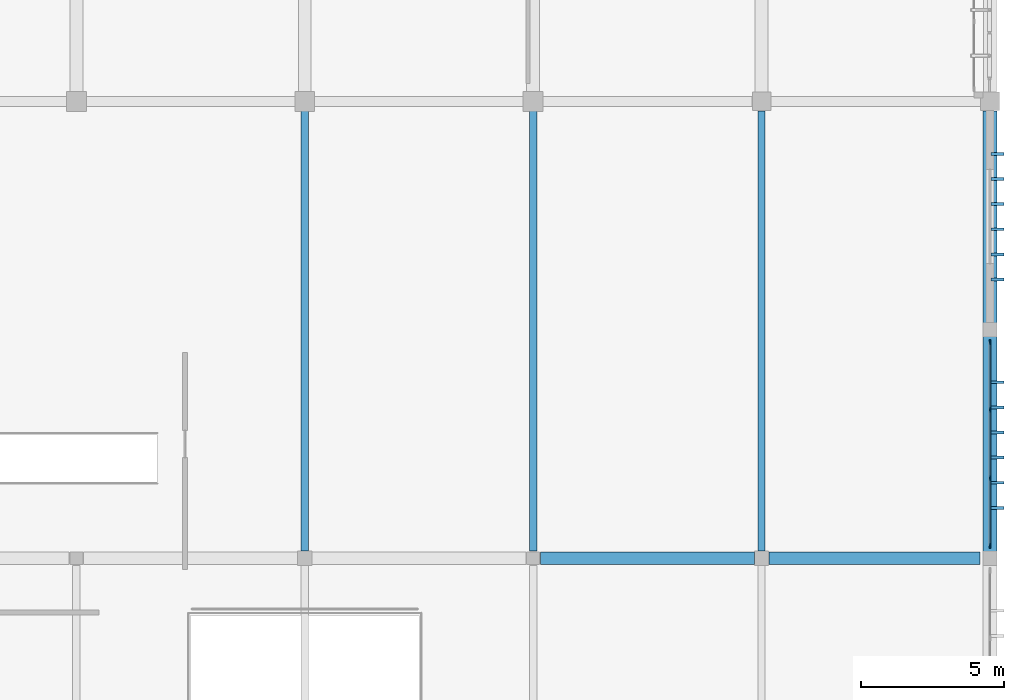
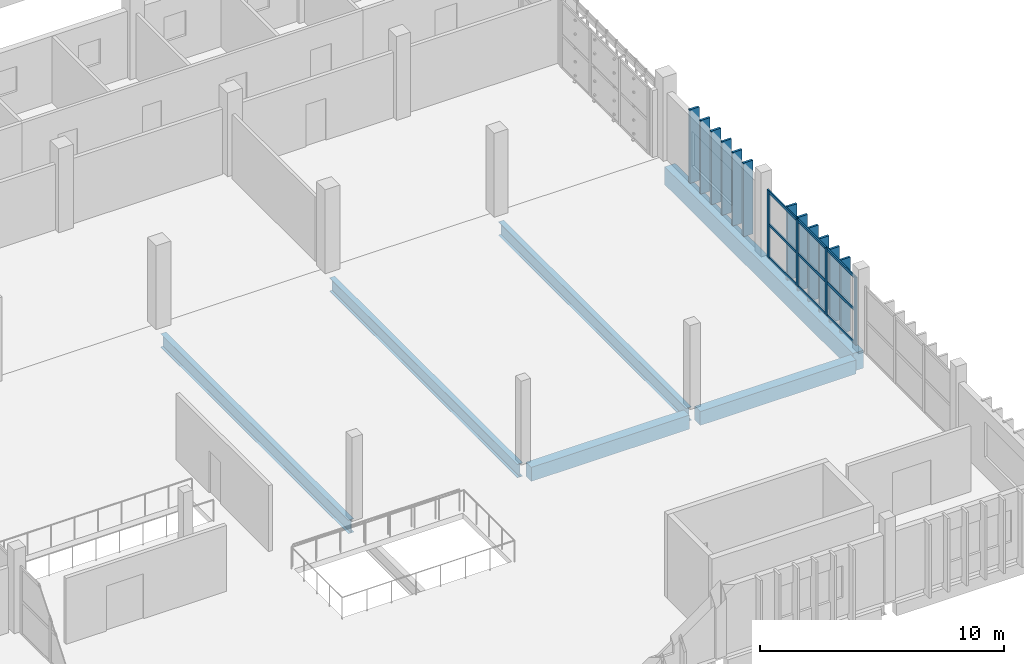
# One storey, part 57 of 137: 25 members, 6 beams, 1 element without a shape of its own.
"""IFC4 building model written with IfcOpenShell, lengths in metres."""

from ifc_helpers import new_model, si_unit, direction, frame, origin, origin_2d, place, context, subcontext, project, spatial, rectangle, i_section, extrude, material, layer, layer_set, material_profile, profile_set, type_object, element, aggregate, save


model = new_model("IFC4")

# Units and contexts
model_context = context("Model", 3, precision=1e-05, world=origin(), true_north=direction((0.0, 1.0)))
body_context = subcontext(model_context, "Body", "Model", "MODEL_VIEW")
ifc_project = project(units=[si_unit("LENGTHUNIT", "METRE"), si_unit("AREAUNIT", "SQUARE_METRE"), si_unit("VOLUMEUNIT", "CUBIC_METRE"), si_unit("PLANEANGLEUNIT", "RADIAN"), si_unit("MASSUNIT", "GRAM", prefix="KILO")], contexts=[model_context])

# Site, building, storey
site_placement = place(None, origin())
site = spatial("IfcSite", under=ifc_project, at=site_placement, CompositionType="ELEMENT")
building_placement = place(site_placement, origin())
building = spatial("IfcBuilding", under=site, at=building_placement, Name="Jelvoka-Kovrelna Polytechnic", CompositionType="ELEMENT")
storey_placement = place(building_placement, frame((0.0, 0.0, 9.60009765625)))
storey = spatial("IfcBuildingStorey", under=building, at=storey_placement, Name="L03", CompositionType="ELEMENT", Elevation=9.60009765625)

# Beams
ifc_material_1 = material(Name="Concrete C40/50", Category="concrete")
ifc_material_profile_1 = material_profile(ifc_material_1, rectangle(XDim=0.449951171875, YDim=0.699951171875, at=origin_2d()), Name="RC 450x700")
ifc_profile_set_1 = profile_set([ifc_material_profile_1], Name="Concrete C40/50")
beam_type_1 = type_object("IfcBeamType", Name="Beam_RC_450x700", PredefinedType="BEAM", material=ifc_profile_set_1)
beam_1_placement = place(storey_placement, frame((184.2548828125, 16.0, -0.635009765625), z_axis=(1.0, 0.0, 0.0), x_axis=(0.0, 1.0, 0.0)))
element("IfcBeam", 1, at=beam_1_placement, inside=storey, type_object=beam_type_1, Name="L03 beam 0228", PredefinedType="BEAM", context=body_context, shape_type="SweptSolid", body=[
    extrude(rectangle(XDim=0.449951171875, YDim=0.699951171875, at=origin_2d()), origin(), (0.0, 0.0, 1.0), 7.490234375),
])
beam_2_placement = place(storey_placement, frame((192.2548828125, 16.0, -0.635009765625), z_axis=(1.0, 0.0, 0.0), x_axis=(0.0, 1.0, 0.0)))
element("IfcBeam", 2, at=beam_2_placement, inside=storey, type_object=beam_type_1, Name="L03 beam 0231", PredefinedType="BEAM", context=body_context, shape_type="SweptSolid", body=[
    extrude(rectangle(XDim=0.449951171875, YDim=0.699951171875, at=origin_2d()), origin(), (0.0, 0.0, 1.0), 7.39013671875),
])
ifc_material_2 = material(Name="Concrete C40/50", Category="concrete")
ifc_material_profile_2 = material_profile(ifc_material_2, rectangle(XDim=0.5, YDim=0.89990234375, at=origin_2d()), Name="RC 500x900")
ifc_profile_set_2 = profile_set([ifc_material_profile_2], Name="Concrete C40/50")
beam_type_2 = type_object("IfcBeamType", Name="Beam_RC_500x900", PredefinedType="BEAM", material=ifc_profile_set_2)
beam_3_placement = place(storey_placement, frame((200.0, 16.22998046875, -0.735107421875), z_axis=(0.0, 1.0, 0.0), x_axis=(-1.0, 0.0, 0.0)))
element("IfcBeam", 3, at=beam_3_placement, inside=storey, type_object=beam_type_2, Name="L03 beam 0217", PredefinedType="BEAM", context=body_context, shape_type="SweptSolid", body=[
    extrude(rectangle(XDim=0.5, YDim=0.89990234375, at=origin_2d()), origin(), (0.0, 0.0, 1.0), 15.43994140625),
])
ifc_material_3 = material(Name="Structural steel S355JR", Category="steel")
ifc_material_profile_3 = material_profile(ifc_material_3, i_section(OverallWidth=0.2529296875, OverallDepth=0.677978515625, WebThickness=0.01171875, FlangeThickness=0.01611328125, FilletRadius=0.01513671875, at=origin_2d()), Name="686x254x125 UB")
ifc_profile_set_3 = profile_set([ifc_material_profile_3], Name="Structural steel S355JR")
beam_type_3 = type_object("IfcBeamType", Name="Girder_Steel_UB686", PredefinedType="BEAM", material=ifc_profile_set_3)
for number, where, z_axis, x_axis, name in (
    (4, (176.0, 16.2548828125, -0.6240234375), (0.0, 1.0, 0.0), (-1.0, 0.0, 0.0), "L03 beam 0211"),
    (5, (184.0, 16.2548828125, -0.6240234375), (0.0, 1.0, 0.0), (-1.0, 0.0, 0.0), "L03 beam 0213"),
    (6, (192.0, 16.2548828125, -0.6240234375), (0.0, 1.0, 0.0), (-1.0, 0.0, 0.0), "L03 beam 0215"),
):
    element("IfcBeam", number, at=place(storey_placement, frame(where, z_axis=z_axis, x_axis=x_axis)), inside=storey, type_object=beam_type_3, Name=name, PredefinedType="BEAM", context=body_context, shape_type="SweptSolid", body=[
        extrude(i_section(OverallWidth=0.2529296875, OverallDepth=0.677978515625, WebThickness=0.01171875, FlangeThickness=0.01611328125, FilletRadius=0.01513671875, at=origin_2d()), origin(), (0.0, 0.0, 1.0), 15.4150390625),
    ])

# Members
ifc_material_4 = material(Name="Precast concrete C40/50", Category="concrete")
ifc_material_profile_4 = material_profile(ifc_material_4, rectangle(XDim=0.10009765625, YDim=0.449951171875, at=origin_2d()), Name="PC 100x450")
ifc_profile_set_4 = profile_set([ifc_material_profile_4], Name="Precast concrete C40/50")
member_type_1 = type_object("IfcMemberType", Name="Louvre_Fin_100x450", PredefinedType="USERDEFINED", material=ifc_profile_set_4)
for number, where, z_axis, x_axis, name in (
    (7, (200.264892578125, 17.760009765625, -0.2900390625), (0.0, 0.0, 1.0), (0.0, 1.0, 0.0), "L03 V5 east solar louvre fin 2608"),
    (8, (200.264892578125, 18.639892578125, -0.2900390625), (0.0, 0.0, 1.0), (0.0, 1.0, 0.0), "L03 V5 east solar louvre fin 2609"),
    (9, (200.264892578125, 19.52001953125, -0.2900390625), (0.0, 0.0, 1.0), (0.0, 1.0, 0.0), "L03 V5 east solar louvre fin 2610"),
    (10, (200.264892578125, 20.39990234375, -0.2900390625), (0.0, 0.0, 1.0), (0.0, 1.0, 0.0), "L03 V5 east solar louvre fin 2611"),
    (11, (200.264892578125, 21.280029296875, -0.2900390625), (0.0, 0.0, 1.0), (0.0, 1.0, 0.0), "L03 V5 east solar louvre fin 2612"),
    (12, (200.264892578125, 22.159912109375, -0.2900390625), (0.0, 0.0, 1.0), (0.0, 1.0, 0.0), "L03 V5 east solar louvre fin 2613"),
    (13, (200.264892578125, 25.760009765625, -0.2900390625), (0.0, 0.0, 1.0), (0.0, 1.0, 0.0), "L03 V5 east solar louvre fin 2614"),
    (14, (200.264892578125, 26.639892578125, -0.2900390625), (0.0, 0.0, 1.0), (0.0, 1.0, 0.0), "L03 V5 east solar louvre fin 2615"),
    (15, (200.264892578125, 27.52001953125, -0.2900390625), (0.0, 0.0, 1.0), (0.0, 1.0, 0.0), "L03 V5 east solar louvre fin 2616"),
    (16, (200.264892578125, 28.39990234375, -0.2900390625), (0.0, 0.0, 1.0), (0.0, 1.0, 0.0), "L03 V5 east solar louvre fin 2617"),
    (17, (200.264892578125, 29.280029296875, -0.2900390625), (0.0, 0.0, 1.0), (0.0, 1.0, 0.0), "L03 V5 east solar louvre fin 2618"),
    (18, (200.264892578125, 30.159912109375, -0.2900390625), (0.0, 0.0, 1.0), (0.0, 1.0, 0.0), "L03 V5 east solar louvre fin 2619"),
):
    element("IfcMember", number, at=place(storey_placement, frame(where, z_axis=z_axis, x_axis=x_axis)), inside=storey, type_object=member_type_1, Name=name, ObjectType="SUNSHADE", PredefinedType="USERDEFINED", context=body_context, shape_type="SweptSolid", body=[
        extrude(rectangle(XDim=0.10009765625, YDim=0.449951171875, at=origin_2d()), origin(), (0.0, 0.0, 1.0), 3.68994140625),
    ])

# Curtain wall, members
ifc_material_5 = material(Name="Anodised aluminium 6063-T6", Category="aluminium")
ifc_layer = layer(ifc_material_5, 0.179931640625)
ifc_layer_set = layer_set([ifc_layer], Name="Anodised aluminium 6063-T6")
curtain_wall_type = type_object("IfcCurtainWallType", Name="CW_Pavilion", PredefinedType="NOTDEFINED", material=ifc_layer_set)
curtain_wall_placement = place(storey_placement, origin())
curtain_wall = element("IfcCurtainWall", 19, at=curtain_wall_placement, inside=storey, type_object=curtain_wall_type, Name="L03 glazed curtain wall 293", PredefinedType="NOTDEFINED")
ifc_material_6 = material(Name="Anodised aluminium 6063-T6", Category="aluminium")
ifc_material_profile_5 = material_profile(ifc_material_6, rectangle(XDim=0.06494140625, YDim=0.179931640625, at=origin_2d()), Name="ALU 65x180")
ifc_profile_set_5 = profile_set([ifc_material_profile_5], Name="Anodised aluminium 6063-T6")
member_type_2 = type_object("IfcMemberType", Name="Mullion_M-05", PredefinedType="MULLION", material=ifc_profile_set_5)
member_1_placement = place(storey_placement, frame((200.0, 23.5673828125, -0.02490234375), z_axis=(0.0, 0.0, 1.0), x_axis=(1.0, 0.0, 0.0)))
member_1 = element("IfcMember", 20, at=member_1_placement, type_object=member_type_2, Name="CW-05 mullion 1", PredefinedType="MULLION", context=body_context, shape_type="SweptSolid", body=[
    extrude(rectangle(XDim=0.06494140625, YDim=0.179931640625, at=origin_2d()), origin(), (0.0, 0.0, 1.0), 3.39990234375),
])
member_2_placement = place(storey_placement, frame((200.0, 21.199951171875, -0.02490234375), z_axis=(0.0, 0.0, 1.0), x_axis=(1.0, 0.0, 0.0)))
member_2 = element("IfcMember", 21, at=member_2_placement, type_object=member_type_2, Name="CW-05 mullion 2", PredefinedType="MULLION", context=body_context, shape_type="SweptSolid", body=[
    extrude(rectangle(XDim=0.06494140625, YDim=0.179931640625, at=origin_2d()), origin(), (0.0, 0.0, 1.0), 3.39990234375),
])
member_3_placement = place(storey_placement, frame((200.0, 18.800048828125, -0.02490234375), z_axis=(0.0, 0.0, 1.0), x_axis=(1.0, 0.0, 0.0)))
member_3 = element("IfcMember", 22, at=member_3_placement, type_object=member_type_2, Name="CW-05 mullion 3", PredefinedType="MULLION", context=body_context, shape_type="SweptSolid", body=[
    extrude(rectangle(XDim=0.06494140625, YDim=0.179931640625, at=origin_2d()), origin(), (0.0, 0.0, 1.0), 3.39990234375),
])
member_4_placement = place(storey_placement, frame((200.0, 16.4326171875, -0.02490234375), z_axis=(0.0, 0.0, 1.0), x_axis=(1.0, 0.0, 0.0)))
member_4 = element("IfcMember", 23, at=member_4_placement, type_object=member_type_2, Name="CW-05 mullion 4", PredefinedType="MULLION", context=body_context, shape_type="SweptSolid", body=[
    extrude(rectangle(XDim=0.06494140625, YDim=0.179931640625, at=origin_2d()), origin(), (0.0, 0.0, 1.0), 3.39990234375),
])
ifc_material_7 = material(Name="Anodised aluminium 6063-T6", Category="aluminium")
ifc_material_profile_6 = material_profile(ifc_material_7, rectangle(XDim=0.06494140625, YDim=0.135009765625, at=origin_2d()), Name="ALU 65x135")
ifc_profile_set_6 = profile_set([ifc_material_profile_6], Name="Anodised aluminium 6063-T6")
member_type_3 = type_object("IfcMemberType", Name="Transom_T-05", PredefinedType="USERDEFINED", material=ifc_profile_set_6)
member_5_placement = place(storey_placement, frame((200.0, 23.534912109375, 0.032470703125), z_axis=(0.0, -1.0, 0.0), x_axis=(1.0, 0.0, 0.0)))
member_5 = element("IfcMember", 24, at=member_5_placement, type_object=member_type_3, Name="CW-05 transom 1.1", ObjectType="TRANSOM", PredefinedType="USERDEFINED", context=body_context, shape_type="SweptSolid", body=[
    extrude(rectangle(XDim=0.06494140625, YDim=0.135009765625, at=origin_2d()), origin(), (0.0, 0.0, 1.0), 2.302490234375),
])
member_6_placement = place(storey_placement, frame((200.0, 23.534912109375, 1.6748046875), z_axis=(0.0, -1.0, 0.0), x_axis=(1.0, 0.0, 0.0)))
member_6 = element("IfcMember", 25, at=member_6_placement, type_object=member_type_3, Name="CW-05 transom 1.2", ObjectType="TRANSOM", PredefinedType="USERDEFINED", context=body_context, shape_type="SweptSolid", body=[
    extrude(rectangle(XDim=0.06494140625, YDim=0.135009765625, at=origin_2d()), origin(), (0.0, 0.0, 1.0), 2.302490234375),
])
member_7_placement = place(storey_placement, frame((200.0, 23.534912109375, 3.3173828125), z_axis=(0.0, -1.0, 0.0), x_axis=(1.0, 0.0, 0.0)))
member_7 = element("IfcMember", 26, at=member_7_placement, type_object=member_type_3, Name="CW-05 transom 1.3", ObjectType="TRANSOM", PredefinedType="USERDEFINED", context=body_context, shape_type="SweptSolid", body=[
    extrude(rectangle(XDim=0.06494140625, YDim=0.135009765625, at=origin_2d()), origin(), (0.0, 0.0, 1.0), 2.302490234375),
])
member_8_placement = place(storey_placement, frame((200.0, 21.16748046875, 0.032470703125), z_axis=(0.0, -1.0, 0.0), x_axis=(1.0, 0.0, 0.0)))
member_8 = element("IfcMember", 27, at=member_8_placement, type_object=member_type_3, Name="CW-05 transom 2.1", ObjectType="TRANSOM", PredefinedType="USERDEFINED", context=body_context, shape_type="SweptSolid", body=[
    extrude(rectangle(XDim=0.06494140625, YDim=0.135009765625, at=origin_2d()), origin(), (0.0, 0.0, 1.0), 2.3349609375),
])
member_9_placement = place(storey_placement, frame((200.0, 21.16748046875, 1.6748046875), z_axis=(0.0, -1.0, 0.0), x_axis=(1.0, 0.0, 0.0)))
member_9 = element("IfcMember", 28, at=member_9_placement, type_object=member_type_3, Name="CW-05 transom 2.2", ObjectType="TRANSOM", PredefinedType="USERDEFINED", context=body_context, shape_type="SweptSolid", body=[
    extrude(rectangle(XDim=0.06494140625, YDim=0.135009765625, at=origin_2d()), origin(), (0.0, 0.0, 1.0), 2.3349609375),
])
member_10_placement = place(storey_placement, frame((200.0, 21.16748046875, 3.3173828125), z_axis=(0.0, -1.0, 0.0), x_axis=(1.0, 0.0, 0.0)))
member_10 = element("IfcMember", 29, at=member_10_placement, type_object=member_type_3, Name="CW-05 transom 2.3", ObjectType="TRANSOM", PredefinedType="USERDEFINED", context=body_context, shape_type="SweptSolid", body=[
    extrude(rectangle(XDim=0.06494140625, YDim=0.135009765625, at=origin_2d()), origin(), (0.0, 0.0, 1.0), 2.3349609375),
])
member_11_placement = place(storey_placement, frame((200.0, 18.767578125, 0.032470703125), z_axis=(0.0, -1.0, 0.0), x_axis=(1.0, 0.0, 0.0)))
member_11 = element("IfcMember", 30, at=member_11_placement, type_object=member_type_3, Name="CW-05 transom 3.1", ObjectType="TRANSOM", PredefinedType="USERDEFINED", context=body_context, shape_type="SweptSolid", body=[
    extrude(rectangle(XDim=0.06494140625, YDim=0.135009765625, at=origin_2d()), origin(), (0.0, 0.0, 1.0), 2.302490234375),
])
member_12_placement = place(storey_placement, frame((200.0, 18.767578125, 1.6748046875), z_axis=(0.0, -1.0, 0.0), x_axis=(1.0, 0.0, 0.0)))
member_12 = element("IfcMember", 31, at=member_12_placement, type_object=member_type_3, Name="CW-05 transom 3.2", ObjectType="TRANSOM", PredefinedType="USERDEFINED", context=body_context, shape_type="SweptSolid", body=[
    extrude(rectangle(XDim=0.06494140625, YDim=0.135009765625, at=origin_2d()), origin(), (0.0, 0.0, 1.0), 2.302490234375),
])
member_13_placement = place(storey_placement, frame((200.0, 18.767578125, 3.3173828125), z_axis=(0.0, -1.0, 0.0), x_axis=(1.0, 0.0, 0.0)))
member_13 = element("IfcMember", 32, at=member_13_placement, type_object=member_type_3, Name="CW-05 transom 3.3", ObjectType="TRANSOM", PredefinedType="USERDEFINED", context=body_context, shape_type="SweptSolid", body=[
    extrude(rectangle(XDim=0.06494140625, YDim=0.135009765625, at=origin_2d()), origin(), (0.0, 0.0, 1.0), 2.302490234375),
])
aggregate(curtain_wall, [member_1, member_2, member_3, member_4, member_5, member_6, member_7, member_8, member_9, member_10, member_11, member_12, member_13])

save(model, "model.ifc")
